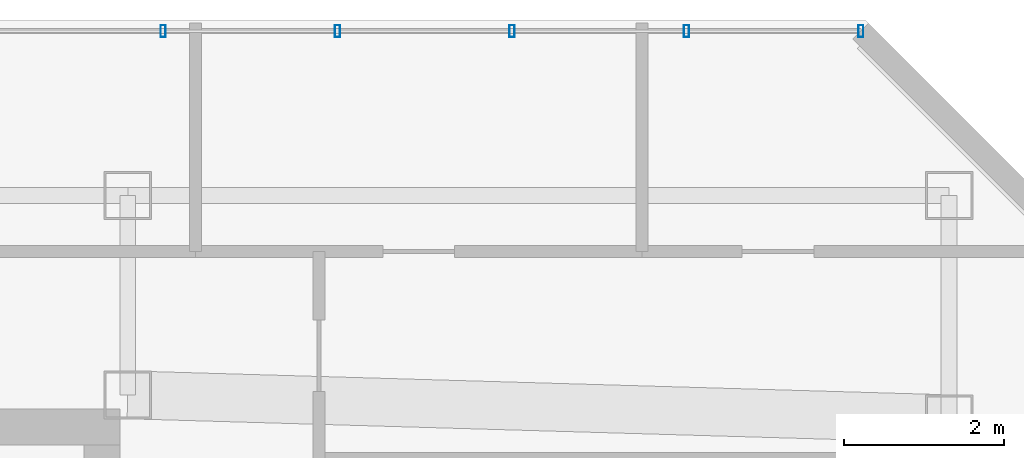
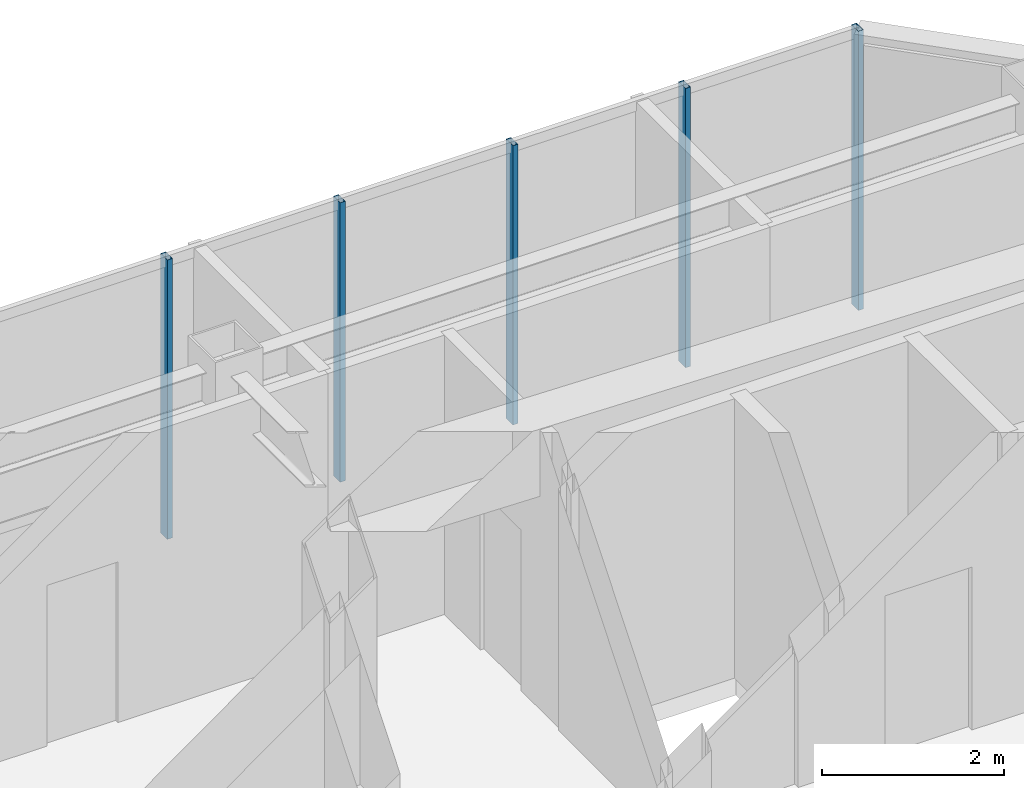
# One storey, part 23 of 29: 5 members, 1 element without a shape of its own.
"""IFC4 building model written with IfcOpenShell, lengths in metres."""

from ifc_helpers import new_model, si_unit, direction, frame, origin, origin_2d, place, context, subcontext, project, spatial, hollow_rectangle, extrude, material, layer, layer_set, material_profile, profile_set, type_object, element, aggregate, save


model = new_model("IFC4")

# Units and contexts
model_context = context("Model", 3, precision=1e-05, world=origin(), true_north=direction((0.0, 1.0)))
body_context = subcontext(model_context, "Body", "Model", "MODEL_VIEW")
ifc_project = project(units=[si_unit("LENGTHUNIT", "METRE"), si_unit("AREAUNIT", "SQUARE_METRE"), si_unit("VOLUMEUNIT", "CUBIC_METRE"), si_unit("PLANEANGLEUNIT", "RADIAN"), si_unit("MASSUNIT", "GRAM", prefix="KILO")], contexts=[model_context])

# Site, building, storey
site_placement = place(None, origin())
site = spatial("IfcSite", under=ifc_project, at=site_placement, CompositionType="ELEMENT")
building_placement = place(site_placement, origin())
building = spatial("IfcBuilding", under=site, at=building_placement, Name="Hatsunagi Terrace Concourse", CompositionType="ELEMENT")
storey_placement = place(building_placement, frame((0.0, 0.0, 277.949951171875)))
storey = spatial("IfcBuildingStorey", under=building, at=storey_placement, Name="L73", CompositionType="ELEMENT", Elevation=277.949951171875)

# Curtain wall, members
ifc_material_1 = material(Name="Anodised Aluminium Alloy 6063-T5", Category="aluminium")
ifc_layer = layer(ifc_material_1, 0.199951171875)
ifc_layer_set = layer_set([ifc_layer], Name="CrownWintergarden_CW06")
curtain_wall_type = type_object("IfcCurtainWallType", Name="CrownWintergarden_CW06", PredefinedType="NOTDEFINED", material=ifc_layer_set)
curtain_wall_placement = place(storey_placement, origin())
curtain_wall = element("IfcCurtainWall", 1, at=curtain_wall_placement, inside=storey, type_object=curtain_wall_type, Name="Unitised Curtain Wall CW-06 CW-L73-09", PredefinedType="NOTDEFINED")
ifc_material_2 = material(Name="Anodised Aluminium Alloy 6063-T5", Category="aluminium")
ifc_material_profile = material_profile(ifc_material_2, hollow_rectangle(XDim=0.06494140625, YDim=0.14990234375, WallThickness=0.00390625, at=origin_2d()), Name="ALU-MUL-150x65x4")
ifc_profile_set = profile_set([ifc_material_profile], Name="Anodised Aluminium Alloy 6063-T5")
member_type = type_object("IfcMemberType", Name="CurtainWallMullion_Crown_150x65", PredefinedType="MULLION", material=ifc_profile_set)
member_1_placement = place(storey_placement, frame((33.7939453125, 47.860107421875, 0.0), z_axis=(0.0, 0.0, 1.0), x_axis=(1.0, 0.0, 0.0)))
member_1 = element("IfcMember", 2, at=member_1_placement, type_object=member_type, Name="Curtain Wall Mullion MUL-03", PredefinedType="MULLION", context=body_context, shape_type="SweptSolid", body=[
    extrude(hollow_rectangle(XDim=0.06494140625, YDim=0.14990234375, WallThickness=0.00390625, at=origin_2d()), origin(), (0.0, 0.0, 1.0), 3.739990234375),
])
member_2_placement = place(storey_placement, frame((35.98095703125, 47.860107421875, 0.0), z_axis=(0.0, 0.0, 1.0), x_axis=(1.0, 0.0, 0.0)))
member_2 = element("IfcMember", 3, at=member_2_placement, type_object=member_type, Name="Curtain Wall Mullion MUL-03", PredefinedType="MULLION", context=body_context, shape_type="SweptSolid", body=[
    extrude(hollow_rectangle(XDim=0.06494140625, YDim=0.14990234375, WallThickness=0.00390625, at=origin_2d()), origin(), (0.0, 0.0, 1.0), 3.739990234375),
])
member_3_placement = place(storey_placement, frame((38.16796875, 47.860107421875, 0.0), z_axis=(0.0, 0.0, 1.0), x_axis=(1.0, 0.0, 0.0)))
member_3 = element("IfcMember", 4, at=member_3_placement, type_object=member_type, Name="Curtain Wall Mullion MUL-03", PredefinedType="MULLION", context=body_context, shape_type="SweptSolid", body=[
    extrude(hollow_rectangle(XDim=0.06494140625, YDim=0.14990234375, WallThickness=0.00390625, at=origin_2d()), origin(), (0.0, 0.0, 1.0), 3.739990234375),
])
member_4_placement = place(storey_placement, frame((40.35498046875, 47.860107421875, 0.0), z_axis=(0.0, 0.0, 1.0), x_axis=(1.0, 0.0, 0.0)))
member_4 = element("IfcMember", 5, at=member_4_placement, type_object=member_type, Name="Curtain Wall Mullion MUL-03", PredefinedType="MULLION", context=body_context, shape_type="SweptSolid", body=[
    extrude(hollow_rectangle(XDim=0.06494140625, YDim=0.14990234375, WallThickness=0.00390625, at=origin_2d()), origin(), (0.0, 0.0, 1.0), 3.739990234375),
])
member_5_placement = place(storey_placement, frame((42.5419921875, 47.860107421875, 0.0), z_axis=(0.0, 0.0, 1.0), x_axis=(1.0, 0.0, 0.0)))
member_5 = element("IfcMember", 6, at=member_5_placement, type_object=member_type, Name="Curtain Wall Mullion MUL-03", PredefinedType="MULLION", context=body_context, shape_type="SweptSolid", body=[
    extrude(hollow_rectangle(XDim=0.06494140625, YDim=0.14990234375, WallThickness=0.00390625, at=origin_2d()), origin(), (0.0, 0.0, 1.0), 3.739990234375),
])
aggregate(curtain_wall, [member_1, member_2, member_3, member_4, member_5])

save(model, "model.ifc")
